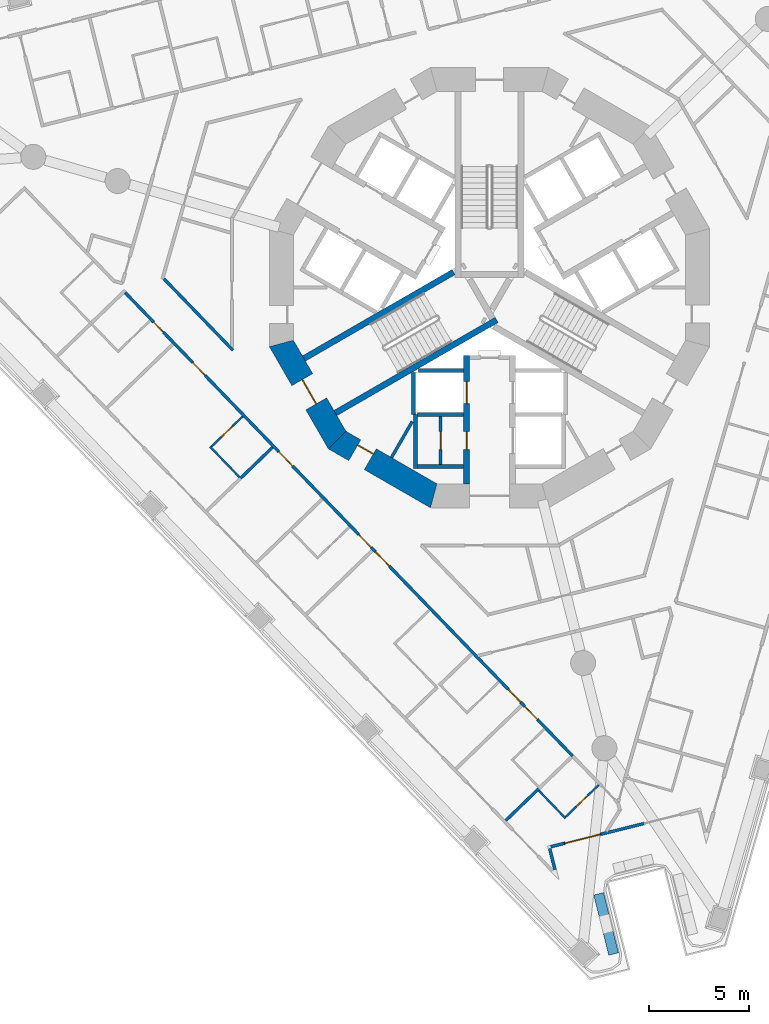
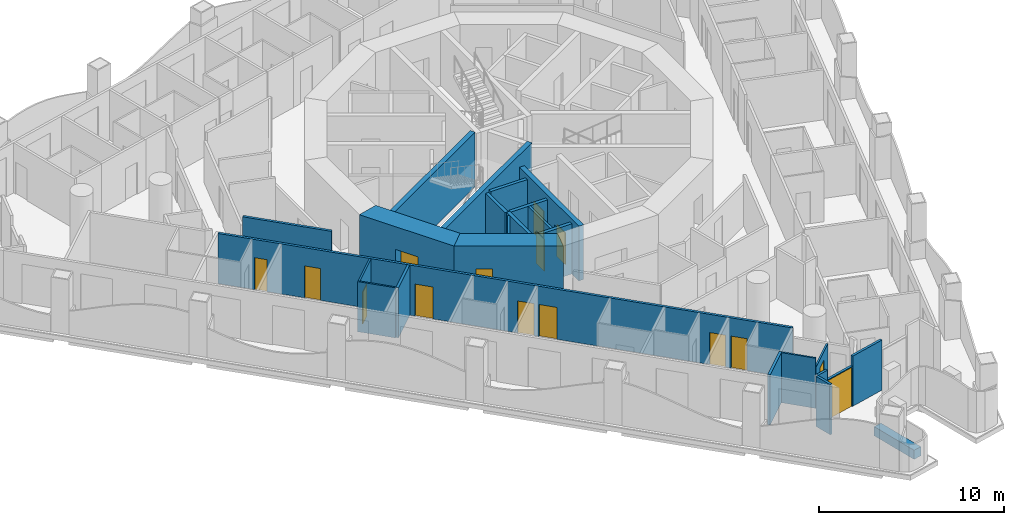
# One storey, part 3 of 20: 25 walls, 15 doors, 15 openings.
"""IFC4 building model written with IfcOpenShell, lengths in metres."""

from ifc_helpers import new_model, si_unit, direction, frame, frame_2d, origin, place, context, subcontext, project, spatial, polyline, rectangle, outline, extrude, material, layer, layer_set, type_object, element, fill, save


model = new_model("IFC4")

# Units and contexts
model_context = context("Model", 3, precision=1e-05, world=origin(), true_north=direction((0.0, 1.0)))
body_context = subcontext(model_context, "Body", "Model", "MODEL_VIEW")
ifc_project = project(units=[si_unit("LENGTHUNIT", "METRE"), si_unit("AREAUNIT", "SQUARE_METRE"), si_unit("VOLUMEUNIT", "CUBIC_METRE"), si_unit("PLANEANGLEUNIT", "RADIAN"), si_unit("MASSUNIT", "GRAM", prefix="KILO")], contexts=[model_context])

# Site, building, storey
site_placement = place(None, origin())
site = spatial("IfcSite", under=ifc_project, at=site_placement, CompositionType="ELEMENT")
building_placement = place(site_placement, origin())
building = spatial("IfcBuilding", under=site, at=building_placement, Name="Trine Commons Tower", CompositionType="ELEMENT")
storey_placement = place(building_placement, frame((0.0, 0.0, 108.89990234375)))
storey = spatial("IfcBuildingStorey", under=building, at=storey_placement, Name="L27", CompositionType="ELEMENT", Elevation=108.89990234375)

# Wall
ifc_material_1 = material(Name="Plasterboard partition on steel studs", Category="steel")
ifc_layer_1 = layer(ifc_material_1, 0.14990234375)
ifc_layer_set_1 = layer_set([ifc_layer_1], Name="Plasterboard partition on steel studs")
wall_type_1 = type_object("IfcWallType", Name="Core room partition 150 mm, EI 60", PredefinedType="PARTITIONING", material=ifc_layer_set_1)
wall_1_placement = place(storey_placement, frame((75.094970703125, 54.0029296875, 0.0), z_axis=(0.0, 0.0, 1.0), x_axis=(0.5000780968, 0.865980309881, 0.0)))
element("IfcWall", 1, at=wall_1_placement, inside=storey, type_object=wall_type_1, Name="Core room partition L27", PredefinedType="PARTITIONING", context=body_context, shape_type="SweptSolid", body=[
    extrude(rectangle(XDim=2.079833984375, YDim=0.14990234375, at=frame_2d((1.0400390625, 0.0))), origin(), (0.0, 0.0, 1.0), 3.300048828125),
])

# Wall, opening, door
wall_2_placement = place(storey_placement, frame((77.550048828125, 56.050048828125, 0.0), z_axis=(0.0, 0.0, 1.0), x_axis=(0.0, -1.0, 0.0)))
wall_2 = element("IfcWall", 2, at=wall_2_placement, inside=storey, type_object=wall_type_1, Name="Core room partition L27", PredefinedType="PARTITIONING", context=body_context, shape_type="SweptSolid", body=[
    extrude(rectangle(XDim=2.400146484375, YDim=0.14990234375, at=frame_2d((1.2001953125, 0.0))), origin(), (0.0, 0.0, 1.0), 3.300048828125),
])
opening_1_placement = place(wall_2_placement, frame((0.75, 0.0, 0.0)))
opening_1 = element("IfcOpeningElement", 3, at=opening_1_placement, cuts=wall_2, Name="Opening K06.11", PredefinedType="OPENING", context=body_context, shape_type="SweptSolid", body=[
    extrude(rectangle(XDim=0.89990234375, YDim=2.10009765625, at=frame_2d((0.449951171875, 1.050048828125))), frame((0.0, 0.0849609375, 0.0), z_axis=(0.0, -1.0, 0.0), x_axis=(1.0, 0.0, 0.0)), (0.0, 0.0, 1.0), 0.169921875),
])
ifc_material_2 = material(Name="Steel door leaf, fire-rated", Category="steel")
door_type_1 = type_object("IfcDoorType", Name="Core room door, single leaf 900 x 2100, FD30S", OperationType="SINGLE_SWING_LEFT", PredefinedType="DOOR", material=ifc_material_2)
door_1_placement = place(opening_1_placement, frame((0.89990234375, 0.0, 0.0), z_axis=(0.0, 0.0, 1.0), x_axis=(-1.0, 0.0, 0.0)))
door_1 = element("IfcDoor", 4, at=door_1_placement, inside=storey, type_object=door_type_1, Name="Door to Pantry L27", OperationType="SINGLE_SWING_LEFT", OverallHeight=2.10009765625, OverallWidth=0.89990234375, PredefinedType="DOOR", context=body_context, shape_type="SweptSolid", body=[
    extrude(rectangle(XDim=0.89990234375, YDim=2.10009765625, at=frame_2d((0.449951171875, 1.050048828125))), frame((0.0, 0.02490234375, 0.0), z_axis=(0.0, -1.0, 0.0), x_axis=(1.0, 0.0, 0.0)), (0.0, 0.0, 1.0), 0.050048828125),
])
fill(opening_1, door_1)

# Wall
ifc_material_3 = material(Name="Aluminium-framed insulated wall panel", Category="aluminium")
ifc_layer_2 = layer(ifc_material_3, 0.14990234375)
ifc_layer_set_2 = layer_set([ifc_layer_2], Name="Aluminium-framed insulated wall panel")
wall_type_2 = type_object("IfcWallType", Name="Glazed frame wall 150, EI 60", PredefinedType="SOLIDWALL", material=ifc_layer_set_2)
wall_3_placement = place(storey_placement, frame((87.71337890625, 35.697021484375, 0.0), z_axis=(0.0, 0.0, 1.0), x_axis=(-0.970298957625, -0.241908934998, 0.0)))
element("IfcWall", 5, at=wall_3_placement, inside=storey, type_object=wall_type_2, Name="Glazed frame wall P3.3", PredefinedType="SOLIDWALL", context=body_context, shape_type="SweptSolid", body=[
    extrude(outline(polyline([(0.0, -0.074951171875), (2.199951171875, -0.074951171875), (2.199951171875, 0.074951171875), (0.0, 0.074951171875), (0.0, -0.074951171875)])), origin(), (0.0, 0.0, 1.0), 3.300048828125),
])

# Wall, opening, door
wall_4_placement = place(storey_placement, frame((85.57861328125, 35.164794921875, 0.0), z_axis=(0.0, 0.0, 1.0), x_axis=(-0.970285945114, -0.241961122321, 0.0)))
wall_4 = element("IfcWall", 6, at=wall_4_placement, inside=storey, type_object=wall_type_2, Name="Glazed frame wall P3.4", PredefinedType="SOLIDWALL", context=body_context, shape_type="SweptSolid", body=[
    extrude(outline(polyline([(0.0, -0.074951171875), (1.89990234375, -0.074951171875), (1.89990234375, 0.074951171875), (0.0, 0.074951171875), (0.0, -0.074951171875)])), origin(), (0.0, 0.0, 1.0), 2.650146484375),
])
opening_2_placement = place(wall_4_placement, frame((0.050048828125, 0.0, 0.0)))
opening_2 = element("IfcOpeningElement", 7, at=opening_2_placement, cuts=wall_4, Name="Opening BD-3P3-02", PredefinedType="OPENING", context=body_context, shape_type="SweptSolid", body=[
    extrude(rectangle(XDim=1.800048828125, YDim=2.60009765625, at=frame_2d((0.89990234375, 1.300048828125))), frame((0.0, 0.0849609375, 0.0), z_axis=(0.0, -1.0, 0.0), x_axis=(1.0, 0.0, 0.0)), (0.0, 0.0, 1.0), 0.169921875),
])
ifc_material_4 = material(Name="Anodised aluminium frame with double glazing", Category="aluminium")
door_type_2 = type_object("IfcDoorType", Name="Sliding loggia door 1800x2600", OperationType="SLIDING_TO_LEFT", PredefinedType="DOOR", material=ifc_material_4)
door_2_placement = place(opening_2_placement, origin())
door_2 = element("IfcDoor", 8, at=door_2_placement, inside=storey, type_object=door_type_2, Name="Loggia door P3 2", OperationType="SLIDING_TO_LEFT", OverallHeight=2.60009765625, OverallWidth=1.800048828125, PredefinedType="DOOR", context=body_context, shape_type="SweptSolid", body=[
    extrude(rectangle(XDim=1.800048828125, YDim=2.60009765625, at=frame_2d((0.89990234375, 1.300048828125))), frame((0.0, 0.02490234375, 0.0), z_axis=(0.0, -1.0, 0.0), x_axis=(1.0, 0.0, 0.0)), (0.0, 0.0, 1.0), 0.050048828125),
])
fill(opening_2, door_2)

# Walls
wall_5_placement = place(storey_placement, frame((83.735107421875, 34.705078125, 0.0), z_axis=(0.0, 0.0, 1.0), x_axis=(-0.970339682992, -0.241745526559, 0.0)))
element("IfcWall", 9, at=wall_5_placement, inside=storey, type_object=wall_type_2, Name="Glazed frame wall P3.5", PredefinedType="SOLIDWALL", context=body_context, shape_type="SweptSolid", body=[
    extrude(outline(polyline([(0.68994140625, 0.074951171875), (0.0, 0.074951171875), (0.0, -0.074951171875), (0.68994140625, -0.074951171875), (0.68994140625, 0.074951171875)])), origin(), (0.0, 0.0, 1.0), 3.300048828125),
])
wall_6_placement = place(storey_placement, frame((82.984375, 34.553955078125, 0.0), z_axis=(0.0, 0.0, 1.0), x_axis=(0.241980315181, -0.970281158771, 0.0)))
element("IfcWall", 10, at=wall_6_placement, inside=storey, type_object=wall_type_2, Name="Glazed frame wall R11", PredefinedType="SOLIDWALL", context=body_context, shape_type="SweptSolid", body=[
    extrude(outline(polyline([(0.110107421875, 0.074951171875), (0.110107421875, -0.074951171875), (1.19580078125, -0.074951171875), (1.19580078125, 0.074951171875), (0.110107421875, 0.074951171875)])), origin(), (0.0, 0.0, 1.0), 3.300048828125),
])
ifc_material_5 = material(Name="Planter trough, precast concrete C40/50", Category="concrete")
ifc_layer_3 = layer(ifc_material_5, 0.5)
ifc_layer_set_3 = layer_set([ifc_layer_3], Name="Planter trough, precast concrete C40/50")
wall_type_3 = type_object("IfcWallType", Name="Planter trough 500x600", PredefinedType="PARAPET", material=ifc_layer_set_3)
wall_7_placement = place(storey_placement, frame((85.456787109375, 32.181640625, 0.0), z_axis=(0.0, 0.0, 1.0), x_axis=(0.2419425832, -0.970290568044, 0.0)))
element("IfcWall", 11, at=wall_7_placement, inside=storey, type_object=wall_type_3, Name="Planter 9", PredefinedType="PARAPET", context=body_context, shape_type="SweptSolid", body=[
    extrude(rectangle(XDim=3.099853515625, YDim=0.5, at=frame_2d((1.5498046875, 0.0))), origin(), (0.0, 0.0, 1.0), 0.60009765625),
])

# Wall, opening, door
ifc_material_6 = material(Name="Concrete C70/85", Category="concrete")
ifc_layer_4 = layer(ifc_material_6, 1.199951171875)
ifc_layer_set_4 = layer_set([ifc_layer_4], Name="Concrete C70/85")
wall_type_4 = type_object("IfcWallType", Name="RC shear wall 1200 mm, C70/85", PredefinedType="SHEAR", material=ifc_layer_set_4)
wall_8_placement = place(storey_placement, frame((69.508056640625, 59.849609375, 0.0), z_axis=(0.0, 0.0, 1.0), x_axis=(0.499979111662, -0.866037463336, 0.0)))
wall_8 = element("IfcWall", 12, at=wall_8_placement, inside=storey, type_object=wall_type_4, Name="Core wall CWC-08 L27", PredefinedType="SHEAR", context=body_context, shape_type="SweptSolid", body=[
    extrude(outline(polyline([(0.0, -0.60009765625), (5.901123046875, -0.60009765625), (5.57958984375, 0.60009765625), (0.321533203125, 0.60009765625), (0.0, -0.60009765625)])), origin(), (0.0, 0.0, 1.0), 3.60009765625),
])
opening_3_placement = place(wall_8_placement, frame((2.25048828125, 0.0, 0.0)))
opening_3 = element("IfcOpeningElement", 13, at=opening_3_placement, cuts=wall_8, Name="Opening K06.02", PredefinedType="OPENING", context=body_context, shape_type="SweptSolid", body=[
    extrude(rectangle(XDim=1.39990234375, YDim=2.10009765625, at=frame_2d((0.699951171875, 1.050048828125))), frame((0.0, 0.60986328125, 0.0), z_axis=(0.0, -1.0, 0.0), x_axis=(1.0, 0.0, 0.0)), (0.0, 0.0, 1.0), 1.219970703125),
])
ifc_material_7 = material(Name="Steel door leaves, fire-rated", Category="steel")
door_type_3 = type_object("IfcDoorType", Name="Stair door, double leaf 1400 x 2100, FD90", OperationType="DOUBLE_DOOR_SINGLE_SWING", PredefinedType="DOOR", material=ifc_material_7)
door_3_placement = place(opening_3_placement, origin())
door_3 = element("IfcDoor", 14, at=door_3_placement, inside=storey, type_object=door_type_3, Name="Stair door to Exit stair ST2A L27", OperationType="DOUBLE_DOOR_SINGLE_SWING", OverallHeight=2.10009765625, OverallWidth=1.39990234375, PredefinedType="DOOR", context=body_context, shape_type="SweptSolid", body=[
    extrude(rectangle(XDim=1.39990234375, YDim=2.10009765625, at=frame_2d((0.699951171875, 1.050048828125))), frame((0.0, 0.02490234375, 0.0), z_axis=(0.0, -1.0, 0.0), x_axis=(1.0, 0.0, 0.0)), (0.0, 0.0, 1.0), 0.050048828125),
])
fill(opening_3, door_3)

wall_9_placement = place(storey_placement, frame((72.239013671875, 54.95849609375, 0.0), z_axis=(0.0, 0.0, 1.0), x_axis=(0.866037463336, -0.499979111662, 0.0)))
wall_9 = element("IfcWall", 15, at=wall_9_placement, inside=storey, type_object=wall_type_4, Name="Core wall CWC-09 L27", PredefinedType="SHEAR", context=body_context, shape_type="SweptSolid", body=[
    extrude(outline(polyline([(0.0, -0.60009765625), (5.901123046875, -0.60009765625), (5.57958984375, 0.60009765625), (0.321533203125, 0.60009765625), (0.0, -0.60009765625)])), origin(), (0.0, 0.0, 1.0), 3.60009765625),
])
opening_4_placement = place(wall_9_placement, frame((1.176513671875, 0.0, 0.0)))
opening_4 = element("IfcOpeningElement", 16, at=opening_4_placement, cuts=wall_9, Name="Opening K06.15", PredefinedType="OPENING", context=body_context, shape_type="SweptSolid", body=[
    extrude(rectangle(XDim=0.89990234375, YDim=2.10009765625, at=frame_2d((0.449951171875, 1.050048828125))), frame((0.0, 0.60986328125, 0.0), z_axis=(0.0, -1.0, 0.0), x_axis=(1.0, 0.0, 0.0)), (0.0, 0.0, 1.0), 1.219970703125),
])
door_4_placement = place(opening_4_placement, origin())
door_4 = element("IfcDoor", 17, at=door_4_placement, inside=storey, type_object=door_type_1, Name="Door to Print room L27", OperationType="SINGLE_SWING_LEFT", OverallHeight=2.10009765625, OverallWidth=0.89990234375, PredefinedType="DOOR", context=body_context, shape_type="SweptSolid", body=[
    extrude(rectangle(XDim=0.89990234375, YDim=2.10009765625, at=frame_2d((0.449951171875, 1.050048828125))), frame((0.0, 0.3251953125, 0.0), z_axis=(0.0, -1.0, 0.0), x_axis=(1.0, 0.0, 0.0)), (0.0, 0.0, 1.0), 0.050048828125),
])
fill(opening_4, door_4)

# Wall, openings, doors
ifc_layer_5 = layer(ifc_material_6, 0.300048828125)
ifc_layer_set_5 = layer_set([ifc_layer_5], Name="Concrete C70/85")
wall_type_5 = type_object("IfcWallType", Name="RC shear wall 300 mm, C70/85", PredefinedType="SHEAR", material=ifc_layer_set_5)
wall_10_placement = place(storey_placement, frame((78.85009765625, 59.10009765625, 0.0), z_axis=(0.0, 0.0, 1.0), x_axis=(0.0, -1.0, 0.0)))
wall_10 = element("IfcWall", 18, at=wall_10_placement, inside=storey, type_object=wall_type_5, Name="Core cross wall SWA-03 L27", PredefinedType="SHEAR", context=body_context, shape_type="SweptSolid", body=[
    extrude(rectangle(XDim=6.412109375, YDim=0.300048828125, at=frame_2d((3.2060546875, 0.0))), origin(), (0.0, 0.0, 1.0), 3.60009765625),
])
opening_5_placement = place(wall_10_placement, frame((3.800048828125, 0.0, 0.0)))
opening_5 = element("IfcOpeningElement", 19, at=opening_5_placement, cuts=wall_10, Name="Opening K06.10", PredefinedType="OPENING", context=body_context, shape_type="SweptSolid", body=[
    extrude(rectangle(XDim=0.89990234375, YDim=2.10009765625, at=frame_2d((0.449951171875, 1.050048828125))), frame((0.0, 0.159912109375, 0.0), z_axis=(0.0, -1.0, 0.0), x_axis=(1.0, 0.0, 0.0)), (0.0, 0.0, 1.0), 0.320068359375),
])
opening_6_placement = place(wall_10_placement, frame((1.300048828125, 0.0, 0.0)))
opening_6 = element("IfcOpeningElement", 20, at=opening_6_placement, cuts=wall_10, Name="Opening LD10", PredefinedType="OPENING", context=body_context, shape_type="SweptSolid", body=[
    extrude(rectangle(XDim=1.10009765625, YDim=2.10009765625, at=frame_2d((0.550048828125, 1.050048828125))), frame((0.0, 0.159912109375, 0.0), z_axis=(0.0, -1.0, 0.0), x_axis=(1.0, 0.0, 0.0)), (0.0, 0.0, 1.0), 0.320068359375),
])
door_5_placement = place(opening_5_placement, frame((0.89990234375, 0.0, 0.0), z_axis=(0.0, 0.0, 1.0), x_axis=(-1.0, 0.0, 0.0)))
door_5 = element("IfcDoor", 21, at=door_5_placement, inside=storey, type_object=door_type_1, Name="Door to Linen store L27", OperationType="SINGLE_SWING_RIGHT", OverallHeight=2.10009765625, OverallWidth=0.89990234375, PredefinedType="DOOR", context=body_context, shape_type="SweptSolid", body=[
    extrude(rectangle(XDim=0.89990234375, YDim=2.10009765625, at=frame_2d((0.449951171875, 1.050048828125))), frame((0.0, 0.02490234375, 0.0), z_axis=(0.0, -1.0, 0.0), x_axis=(1.0, 0.0, 0.0)), (0.0, 0.0, 1.0), 0.050048828125),
])
fill(opening_5, door_5)
ifc_material_8 = material(Name="Stainless steel sliding door leaves", Category="steel")
door_type_4 = type_object("IfcDoorType", Name="Lift landing door, centre-opening sliding 1100 x 2100, FD90", OperationType="DOUBLE_DOOR_SLIDING", PredefinedType="DOOR", material=ifc_material_8)
door_6_placement = place(opening_6_placement, origin())
door_6 = element("IfcDoor", 22, at=door_6_placement, inside=storey, type_object=door_type_4, Name="Lift landing door FF2 L27", OperationType="DOUBLE_DOOR_SLIDING", OverallHeight=2.10009765625, OverallWidth=1.10009765625, PredefinedType="DOOR", context=body_context, shape_type="SweptSolid", body=[
    extrude(rectangle(XDim=1.10009765625, YDim=2.10009765625, at=frame_2d((0.550048828125, 1.050048828125))), frame((0.0, 0.02490234375, 0.0), z_axis=(0.0, -1.0, 0.0), x_axis=(1.0, 0.0, 0.0)), (0.0, 0.0, 1.0), 0.050048828125),
])
fill(opening_6, door_6)

# Walls
wall_11_placement = place(storey_placement, frame((78.199951171875, 63.280029296875, 0.0), z_axis=(0.0, 0.0, 1.0), x_axis=(-0.865965399159, -0.500103916661, 0.0)))
element("IfcWall", 23, at=wall_11_placement, inside=storey, type_object=wall_type_5, Name="Core cross wall SWA-07 L27", PredefinedType="SHEAR", context=body_context, shape_type="SweptSolid", body=[
    extrude(rectangle(XDim=8.642333984375, YDim=0.300048828125, at=frame_2d((4.3212890625, 0.0))), origin(), (0.0, 0.0, 1.0), 3.60009765625),
])
wall_12_placement = place(storey_placement, frame((80.35400390625, 60.885986328125, 0.0), z_axis=(0.0, 0.0, 1.0), x_axis=(-0.865986456211, -0.50006745311, 0.0)))
element("IfcWall", 24, at=wall_12_placement, inside=storey, type_object=wall_type_5, Name="Core cross wall SWA-14 L27", PredefinedType="SHEAR", context=body_context, shape_type="SweptSolid", body=[
    extrude(rectangle(XDim=9.310791015625, YDim=0.300048828125, at=frame_2d((4.6552734375, 0.0))), origin(), (0.0, 0.0, 1.0), 3.60009765625),
])
ifc_material_9 = material(Name="Fire-rated gypsum shaft wall system")
ifc_layer_6 = layer(ifc_material_9, 0.199951171875)
ifc_layer_set_6 = layer_set([ifc_layer_6], Name="Fire-rated gypsum shaft wall system")
wall_type_6 = type_object("IfcWallType", Name="Shaft wall 200 mm, EI 120", PredefinedType="PARTITIONING", material=ifc_layer_set_6)
wall_13_placement = place(storey_placement, frame((76.199951171875, 58.256103515625, 0.0), z_axis=(0.0, 0.0, 1.0), x_axis=(0.0, -1.0, 0.0)))
element("IfcWall", 25, at=wall_13_placement, inside=storey, type_object=wall_type_6, Name="Shaft wall L27", PredefinedType="PARTITIONING", context=body_context, shape_type="SweptSolid", body=[
    extrude(rectangle(XDim=2.106201171875, YDim=0.199951171875, at=frame_2d((1.05322265625, 0.0))), origin(), (0.0, 0.0, 1.0), 3.300048828125),
])
wall_14_placement = place(storey_placement, frame((76.300048828125, 56.14990234375, 0.0), z_axis=(0.0, 0.0, 1.0), x_axis=(0.0, -1.0, 0.0)))
element("IfcWall", 26, at=wall_14_placement, inside=storey, type_object=wall_type_6, Name="Shaft wall L27", PredefinedType="PARTITIONING", context=body_context, shape_type="SweptSolid", body=[
    extrude(rectangle(XDim=2.699951171875, YDim=0.199951171875, at=frame_2d((1.35009765625, 0.0))), origin(), (0.0, 0.0, 1.0), 3.300048828125),
])
for number, where, z_axis, x_axis, name in (
    (27, (78.699951171875, 53.550048828125, 0.0), (0.0, 0.0, 1.0), (-1.0, 0.0, 0.0), "Shaft wall L27"),
    (28, (78.699951171875, 56.14990234375, 0.0), (0.0, 0.0, 1.0), (-1.0, 0.0, 0.0), "Shaft wall L27"),
):
    element("IfcWall", number, at=place(storey_placement, frame(where, z_axis=z_axis, x_axis=x_axis)), inside=storey, type_object=wall_type_6, Name=name, PredefinedType="PARTITIONING", context=body_context, shape_type="SweptSolid", body=[
        extrude(rectangle(XDim=2.300048828125, YDim=0.199951171875, at=frame_2d((1.14990234375, 0.0))), origin(), (0.0, 0.0, 1.0), 3.300048828125),
    ])
wall_15_placement = place(storey_placement, frame((78.699951171875, 58.35009765625, 0.0), z_axis=(0.0, 0.0, 1.0), x_axis=(-1.0, 0.0, 0.0)))
element("IfcWall", 29, at=wall_15_placement, inside=storey, type_object=wall_type_6, Name="Shaft wall L27", PredefinedType="PARTITIONING", context=body_context, shape_type="SweptSolid", body=[
    extrude(rectangle(XDim=2.264892578125, YDim=0.199951171875, at=frame_2d((1.13232421875, 0.0))), origin(), (0.0, 0.0, 1.0), 3.300048828125),
])

# Wall, openings, doors
ifc_material_10 = material(Name="Gypsum plasterboard on steel stud", Category="steel")
ifc_layer_7 = layer(ifc_material_10, 0.14990234375)
ifc_layer_set_7 = layer_set([ifc_layer_7], Name="Gypsum plasterboard on steel stud")
wall_type_7 = type_object("IfcWallType", Name="Unit and corridor wall 150 mm, EI 60", PredefinedType="PARTITIONING", material=ifc_layer_set_7)
wall_16_placement = place(storey_placement, frame((61.772216796875, 62.257080078125, 0.0), z_axis=(0.0, 0.0, 1.0), x_axis=(0.694641026806, -0.719356548506, 0.0)))
wall_16 = element("IfcWall", 30, at=wall_16_placement, inside=storey, type_object=wall_type_7, Name="Partition 018", PredefinedType="PARTITIONING", context=body_context, shape_type="SweptSolid", body=[
    extrude(rectangle(XDim=32.22216796875, YDim=0.14990234375, at=frame_2d((16.111083984375, 0.0))), origin(), (0.0, 0.0, 1.0), 3.300048828125),
])
opening_7_placement = place(wall_16_placement, frame((28.784423828125, 0.0, 0.0)))
opening_7 = element("IfcOpeningElement", 31, at=opening_7_placement, cuts=wall_16, Name="Opening D-3C26", PredefinedType="OPENING", context=body_context, shape_type="SweptSolid", body=[
    extrude(rectangle(XDim=0.89990234375, YDim=2.10009765625, at=frame_2d((0.449951171875, 1.050048828125))), frame((0.0, 0.0849609375, 0.0), z_axis=(0.0, -1.0, 0.0), x_axis=(1.0, 0.0, 0.0)), (0.0, 0.0, 1.0), 0.169921875),
])
opening_8_placement = place(wall_16_placement, frame((27.58447265625, 0.0, 0.0)))
opening_8 = element("IfcOpeningElement", 32, at=opening_8_placement, cuts=wall_16, Name="Opening D-3C27", PredefinedType="OPENING", context=body_context, shape_type="SweptSolid", body=[
    extrude(rectangle(XDim=0.89990234375, YDim=2.10009765625, at=frame_2d((0.449951171875, 1.050048828125))), frame((0.0, 0.0849609375, 0.0), z_axis=(0.0, -1.0, 0.0), x_axis=(1.0, 0.0, 0.0)), (0.0, 0.0, 1.0), 0.169921875),
])
opening_9_placement = place(wall_16_placement, frame((18.019287109375, 0.0, 0.0)))
opening_9 = element("IfcOpeningElement", 33, at=opening_9_placement, cuts=wall_16, Name="Opening D-3C28", PredefinedType="OPENING", context=body_context, shape_type="SweptSolid", body=[
    extrude(rectangle(XDim=1.0, YDim=2.10009765625, at=frame_2d((0.5, 1.050048828125))), frame((0.0, 0.0849609375, 0.0), z_axis=(0.0, -1.0, 0.0), x_axis=(1.0, 0.0, 0.0)), (0.0, 0.0, 1.0), 0.169921875),
])
opening_10_placement = place(wall_16_placement, frame((16.819091796875, 0.0, 0.0)))
opening_10 = element("IfcOpeningElement", 34, at=opening_10_placement, cuts=wall_16, Name="Opening D-3C29", PredefinedType="OPENING", context=body_context, shape_type="SweptSolid", body=[
    extrude(rectangle(XDim=0.89990234375, YDim=2.10009765625, at=frame_2d((0.449951171875, 1.050048828125))), frame((0.0, 0.0849609375, 0.0), z_axis=(0.0, -1.0, 0.0), x_axis=(1.0, 0.0, 0.0)), (0.0, 0.0, 1.0), 0.169921875),
])
opening_11_placement = place(wall_16_placement, frame((11.05810546875, 0.0, 0.0)))
opening_11 = element("IfcOpeningElement", 35, at=opening_11_placement, cuts=wall_16, Name="Opening D-3C30", PredefinedType="OPENING", context=body_context, shape_type="SweptSolid", body=[
    extrude(rectangle(XDim=1.0, YDim=2.10009765625, at=frame_2d((0.5, 1.050048828125))), frame((0.0, 0.0849609375, 0.0), z_axis=(0.0, -1.0, 0.0), x_axis=(1.0, 0.0, 0.0)), (0.0, 0.0, 1.0), 0.169921875),
])
opening_12_placement = place(wall_16_placement, frame((4.864990234375, 0.0, 0.0)))
opening_12 = element("IfcOpeningElement", 36, at=opening_12_placement, cuts=wall_16, Name="Opening D-3C31", PredefinedType="OPENING", context=body_context, shape_type="SweptSolid", body=[
    extrude(rectangle(XDim=0.89990234375, YDim=2.10009765625, at=frame_2d((0.449951171875, 1.050048828125))), frame((0.0, 0.0849609375, 0.0), z_axis=(0.0, -1.0, 0.0), x_axis=(1.0, 0.0, 0.0)), (0.0, 0.0, 1.0), 0.169921875),
])
opening_13_placement = place(wall_16_placement, frame((2.056396484375, 0.0, 0.0)))
opening_13 = element("IfcOpeningElement", 37, at=opening_13_placement, cuts=wall_16, Name="Opening D-3C32", PredefinedType="OPENING", context=body_context, shape_type="SweptSolid", body=[
    extrude(rectangle(XDim=0.699951171875, YDim=2.10009765625, at=frame_2d((0.35009765625, 1.050048828125))), frame((0.0, 0.0849609375, 0.0), z_axis=(0.0, -1.0, 0.0), x_axis=(1.0, 0.0, 0.0)), (0.0, 0.0, 1.0), 0.169921875),
])
ifc_material_11 = material(Name="Timber fire door set", Category="wood")
door_type_5 = type_object("IfcDoorType", Name="Bedroom door 1000 x 2100, FD30S", OperationType="NOTDEFINED", PredefinedType="DOOR", material=ifc_material_11)
door_7_placement = place(opening_9_placement, frame((1.0, 0.0, 0.0), z_axis=(0.0, 0.0, 1.0), x_axis=(-1.0, 0.0, 0.0)))
door_7 = element("IfcDoor", 38, at=door_7_placement, inside=storey, type_object=door_type_5, Name="Door D-3C28", OperationType="SINGLE_SWING_LEFT", OverallHeight=2.10009765625, OverallWidth=1.0, PredefinedType="DOOR", context=body_context, shape_type="SweptSolid", body=[
    extrude(rectangle(XDim=1.0, YDim=2.10009765625, at=frame_2d((0.5, 1.050048828125))), frame((0.0, 0.02490234375, 0.0), z_axis=(0.0, -1.0, 0.0), x_axis=(1.0, 0.0, 0.0)), (0.0, 0.0, 1.0), 0.050048828125),
])
fill(opening_9, door_7)
door_type_6 = type_object("IfcDoorType", Name="Bedroom door 700 x 2100, FD30S", OperationType="NOTDEFINED", PredefinedType="DOOR", material=ifc_material_11)
door_8_placement = place(opening_13_placement, frame((0.699951171875, 0.0, 0.0), z_axis=(0.0, 0.0, 1.0), x_axis=(-1.0, 0.0, 0.0)))
door_8 = element("IfcDoor", 39, at=door_8_placement, inside=storey, type_object=door_type_6, Name="Door D-3C32", OperationType="SINGLE_SWING_RIGHT", OverallHeight=2.10009765625, OverallWidth=0.699951171875, PredefinedType="DOOR", context=body_context, shape_type="SweptSolid", body=[
    extrude(rectangle(XDim=0.699951171875, YDim=2.10009765625, at=frame_2d((0.35009765625, 1.050048828125))), frame((0.0, 0.02490234375, 0.0), z_axis=(0.0, -1.0, 0.0), x_axis=(1.0, 0.0, 0.0)), (0.0, 0.0, 1.0), 0.050048828125),
])
fill(opening_13, door_8)
door_type_7 = type_object("IfcDoorType", Name="Bedroom door 900 x 2100, FD30S", OperationType="NOTDEFINED", PredefinedType="DOOR", material=ifc_material_11)
door_9_placement = place(opening_7_placement, frame((0.89990234375, 0.0, 0.0), z_axis=(0.0, 0.0, 1.0), x_axis=(-1.0, 0.0, 0.0)))
door_9 = element("IfcDoor", 40, at=door_9_placement, inside=storey, type_object=door_type_7, Name="Door D-3C26", OperationType="SINGLE_SWING_LEFT", OverallHeight=2.10009765625, OverallWidth=0.89990234375, PredefinedType="DOOR", context=body_context, shape_type="SweptSolid", body=[
    extrude(rectangle(XDim=0.89990234375, YDim=2.10009765625, at=frame_2d((0.449951171875, 1.050048828125))), frame((0.0, 0.02490234375, 0.0), z_axis=(0.0, -1.0, 0.0), x_axis=(1.0, 0.0, 0.0)), (0.0, 0.0, 1.0), 0.050048828125),
])
fill(opening_7, door_9)
door_10_placement = place(opening_8_placement, frame((0.89990234375, 0.0, 0.0), z_axis=(0.0, 0.0, 1.0), x_axis=(-1.0, 0.0, 0.0)))
door_10 = element("IfcDoor", 41, at=door_10_placement, inside=storey, type_object=door_type_7, Name="Door D-3C27", OperationType="SINGLE_SWING_LEFT", OverallHeight=2.10009765625, OverallWidth=0.89990234375, PredefinedType="DOOR", context=body_context, shape_type="SweptSolid", body=[
    extrude(rectangle(XDim=0.89990234375, YDim=2.10009765625, at=frame_2d((0.449951171875, 1.050048828125))), frame((0.0, 0.02490234375, 0.0), z_axis=(0.0, -1.0, 0.0), x_axis=(1.0, 0.0, 0.0)), (0.0, 0.0, 1.0), 0.050048828125),
])
fill(opening_8, door_10)
door_11_placement = place(opening_10_placement, frame((0.89990234375, 0.0, 0.0), z_axis=(0.0, 0.0, 1.0), x_axis=(-1.0, 0.0, 0.0)))
door_11 = element("IfcDoor", 42, at=door_11_placement, inside=storey, type_object=door_type_7, Name="Door D-3C29", OperationType="SINGLE_SWING_LEFT", OverallHeight=2.10009765625, OverallWidth=0.89990234375, PredefinedType="DOOR", context=body_context, shape_type="SweptSolid", body=[
    extrude(rectangle(XDim=0.89990234375, YDim=2.10009765625, at=frame_2d((0.449951171875, 1.050048828125))), frame((0.0, 0.02490234375, 0.0), z_axis=(0.0, -1.0, 0.0), x_axis=(1.0, 0.0, 0.0)), (0.0, 0.0, 1.0), 0.050048828125),
])
fill(opening_10, door_11)
door_12_placement = place(opening_12_placement, frame((0.89990234375, 0.0, 0.0), z_axis=(0.0, 0.0, 1.0), x_axis=(-1.0, 0.0, 0.0)))
door_12 = element("IfcDoor", 43, at=door_12_placement, inside=storey, type_object=door_type_7, Name="Door D-3C31", OperationType="SINGLE_SWING_RIGHT", OverallHeight=2.10009765625, OverallWidth=0.89990234375, PredefinedType="DOOR", context=body_context, shape_type="SweptSolid", body=[
    extrude(rectangle(XDim=0.89990234375, YDim=2.10009765625, at=frame_2d((0.449951171875, 1.050048828125))), frame((0.0, 0.02490234375, 0.0), z_axis=(0.0, -1.0, 0.0), x_axis=(1.0, 0.0, 0.0)), (0.0, 0.0, 1.0), 0.050048828125),
])
fill(opening_12, door_12)
ifc_material_12 = material(Name="Painted timber", Category="wood")
door_type_8 = type_object("IfcDoorType", Name="Toilet door 1000 x 2100, NOT RATED", OperationType="NOTDEFINED", PredefinedType="DOOR", material=ifc_material_12)
door_13_placement = place(opening_11_placement, frame((1.0, 0.0, 0.0), z_axis=(0.0, 0.0, 1.0), x_axis=(-1.0, 0.0, 0.0)))
door_13 = element("IfcDoor", 44, at=door_13_placement, inside=storey, type_object=door_type_8, Name="Door D-3C30", OperationType="SINGLE_SWING_RIGHT", OverallHeight=2.10009765625, OverallWidth=1.0, PredefinedType="DOOR", context=body_context, shape_type="SweptSolid", body=[
    extrude(rectangle(XDim=1.0, YDim=2.10009765625, at=frame_2d((0.5, 1.050048828125))), frame((0.0, 0.02490234375, 0.0), z_axis=(0.0, -1.0, 0.0), x_axis=(1.0, 0.0, 0.0)), (0.0, 0.0, 1.0), 0.050048828125),
])
fill(opening_11, door_13)

# Walls
wall_17_placement = place(storey_placement, frame((63.710205078125, 62.948974609375, 0.0), z_axis=(0.0, 0.0, 1.0), x_axis=(0.694628677397, -0.719368473411, 0.0)))
element("IfcWall", 45, at=wall_17_placement, inside=storey, type_object=wall_type_7, Name="Partition 024", PredefinedType="PARTITIONING", context=body_context, shape_type="SweptSolid", body=[
    extrude(rectangle(XDim=4.9736328125, YDim=0.14990234375, at=frame_2d((2.48681640625, 0.0))), origin(), (0.0, 0.0, 1.0), 3.300048828125),
])
wall_18_placement = place(storey_placement, frame((67.54296875, 52.964111328125, 0.0), z_axis=(0.0, 0.0, 1.0), x_axis=(0.719159849229, 0.694844666998, 0.0)))
element("IfcWall", 46, at=wall_18_placement, inside=storey, type_object=wall_type_7, Name="Partition 039", PredefinedType="PARTITIONING", context=body_context, shape_type="SweptSolid", body=[
    extrude(rectangle(XDim=2.22900390625, YDim=0.14990234375, at=frame_2d((1.114501953125, 0.0))), origin(), (0.0, 0.0, 1.0), 3.300048828125),
])
wall_19_placement = place(storey_placement, frame((80.811767578125, 35.849853515625, 0.0), z_axis=(0.0, 0.0, 1.0), x_axis=(0.719587956046, 0.694401305812, 0.0)))
element("IfcWall", 47, at=wall_19_placement, inside=storey, type_object=wall_type_7, Name="Partition 071", PredefinedType="PARTITIONING", context=body_context, shape_type="SweptSolid", body=[
    extrude(rectangle(XDim=2.27783203125, YDim=0.14990234375, at=frame_2d((1.138916015625, 0.0))), origin(), (0.0, 0.0, 1.0), 3.300048828125),
])
ifc_layer_8 = layer(ifc_material_10, 0.10009765625)
ifc_layer_set_8 = layer_set([ifc_layer_8], Name="Gypsum plasterboard on steel stud")
wall_type_8 = type_object("IfcWallType", Name="Unit partition 100 mm, no rating", PredefinedType="PARTITIONING", material=ifc_layer_set_8)
wall_20_placement = place(storey_placement, frame((66.017333984375, 54.550048828125, 0.0), z_axis=(0.0, 0.0, 1.0), x_axis=(0.694414056616, -0.719575651321, 0.0)))
element("IfcWall", 48, at=wall_20_placement, inside=storey, type_object=wall_type_8, Name="Partition 032", PredefinedType="PARTITIONING", context=body_context, shape_type="SweptSolid", body=[
    extrude(rectangle(XDim=2.125, YDim=0.10009765625, at=frame_2d((1.0625, 0.0))), origin(), (0.0, 0.0, 1.0), 3.300048828125),
])

# Wall, opening, door
wall_21_placement = place(storey_placement, frame((66.087890625, 54.548583984375, 0.0), z_axis=(0.0, 0.0, 1.0), x_axis=(0.719405330095, 0.694590506004, 0.0)))
wall_21 = element("IfcWall", 49, at=wall_21_placement, inside=storey, type_object=wall_type_8, Name="Partition 033", PredefinedType="PARTITIONING", context=body_context, shape_type="SweptSolid", body=[
    extrude(rectangle(XDim=2.17431640625, YDim=0.10009765625, at=frame_2d((1.087158203125, 0.0))), origin(), (0.0, 0.0, 1.0), 3.300048828125),
])
opening_14_placement = place(wall_21_placement, frame((0.68701171875, 0.0, 0.0)))
opening_14 = element("IfcOpeningElement", 50, at=opening_14_placement, cuts=wall_21, Name="Opening D-3C65", PredefinedType="OPENING", context=body_context, shape_type="SweptSolid", body=[
    extrude(rectangle(XDim=0.800048828125, YDim=2.10009765625, at=frame_2d((0.39990234375, 1.050048828125))), frame((0.0, 0.06005859375, 0.0), z_axis=(0.0, -1.0, 0.0), x_axis=(1.0, 0.0, 0.0)), (0.0, 0.0, 1.0), 0.1201171875),
])
door_type_9 = type_object("IfcDoorType", Name="Internal door 800 x 2100, NOT RATED", OperationType="NOTDEFINED", PredefinedType="DOOR", material=ifc_material_12)
door_14_placement = place(opening_14_placement, origin())
door_14 = element("IfcDoor", 51, at=door_14_placement, inside=storey, type_object=door_type_9, Name="Door D-3C65", OperationType="SINGLE_SWING_LEFT", OverallHeight=2.10009765625, OverallWidth=0.800048828125, PredefinedType="DOOR", context=body_context, shape_type="SweptSolid", body=[
    extrude(rectangle(XDim=0.800048828125, YDim=2.10009765625, at=frame_2d((0.39990234375, 1.050048828125))), frame((0.0, 0.02490234375, 0.0), z_axis=(0.0, -1.0, 0.0), x_axis=(1.0, 0.0, 0.0)), (0.0, 0.0, 1.0), 0.050048828125),
])
fill(opening_14, door_14)

# Wall
wall_22_placement = place(storey_placement, frame((82.467041015625, 37.343017578125, 0.0), z_axis=(0.0, 0.0, 1.0), x_axis=(0.694438310909, -0.719552244345, 0.0)))
element("IfcWall", 52, at=wall_22_placement, inside=storey, type_object=wall_type_8, Name="Partition 078", PredefinedType="PARTITIONING", context=body_context, shape_type="SweptSolid", body=[
    extrude(rectangle(XDim=1.9248046875, YDim=0.10009765625, at=frame_2d((0.96240234375, 0.0))), origin(), (0.0, 0.0, 1.0), 3.300048828125),
])

# Wall, opening, door
wall_23_placement = place(storey_placement, frame((83.804931640625, 36.02880859375, 0.0), z_axis=(0.0, 0.0, 1.0), x_axis=(0.719443618251, 0.694550847784, 0.0)))
wall_23 = element("IfcWall", 53, at=wall_23_placement, inside=storey, type_object=wall_type_8, Name="Partition 083", PredefinedType="PARTITIONING", context=body_context, shape_type="SweptSolid", body=[
    extrude(rectangle(XDim=2.294921875, YDim=0.10009765625, at=frame_2d((1.1474609375, 0.0))), origin(), (0.0, 0.0, 1.0), 2.650146484375),
])
opening_15_placement = place(wall_23_placement, frame((0.74755859375, 0.0, 0.0)))
opening_15 = element("IfcOpeningElement", 54, at=opening_15_placement, cuts=wall_23, Name="Opening D-3C60", PredefinedType="OPENING", context=body_context, shape_type="SweptSolid", body=[
    extrude(rectangle(XDim=0.800048828125, YDim=2.10009765625, at=frame_2d((0.39990234375, 1.050048828125))), frame((0.0, 0.06005859375, 0.0), z_axis=(0.0, -1.0, 0.0), x_axis=(1.0, 0.0, 0.0)), (0.0, 0.0, 1.0), 0.1201171875),
])
door_15_placement = place(opening_15_placement, frame((0.800048828125, 0.0, 0.0), z_axis=(0.0, 0.0, 1.0), x_axis=(-1.0, 0.0, 0.0)))
door_15 = element("IfcDoor", 55, at=door_15_placement, inside=storey, type_object=door_type_9, Name="Door D-3C60", OperationType="SINGLE_SWING_RIGHT", OverallHeight=2.10009765625, OverallWidth=0.800048828125, PredefinedType="DOOR", context=body_context, shape_type="SweptSolid", body=[
    extrude(rectangle(XDim=0.800048828125, YDim=2.10009765625, at=frame_2d((0.39990234375, 1.050048828125))), frame((0.0, 0.02490234375, 0.0), z_axis=(0.0, -1.0, 0.0), x_axis=(1.0, 0.0, 0.0)), (0.0, 0.0, 1.0), 0.050048828125),
])
fill(opening_15, door_15)

save(model, "model.ifc")
